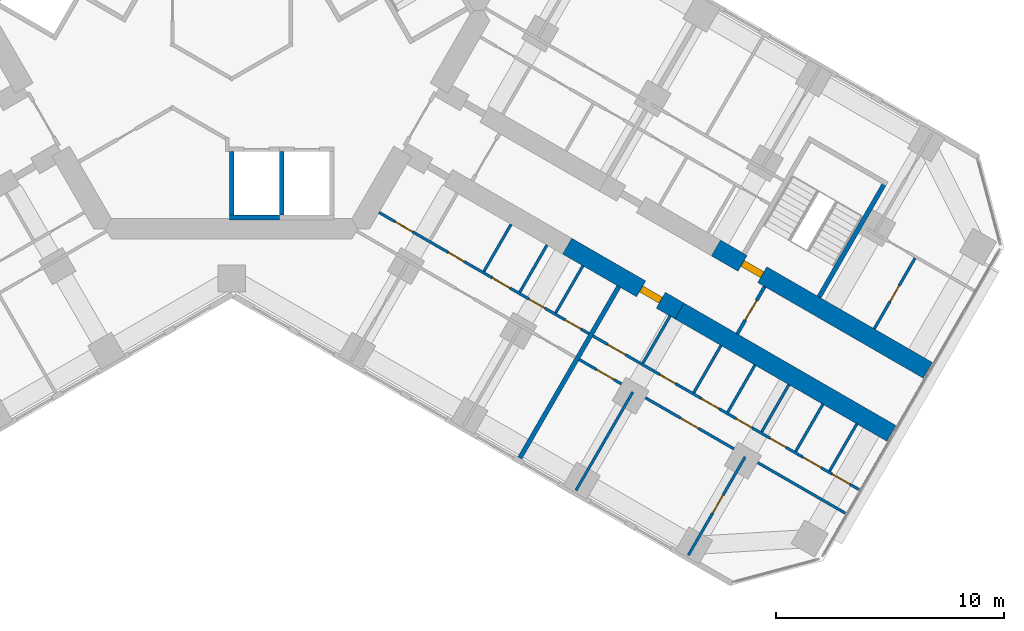
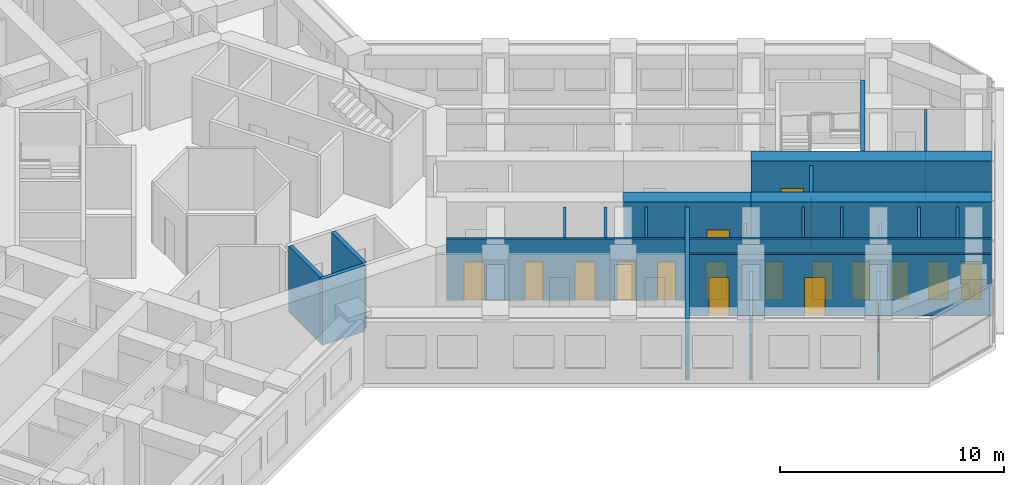
# One storey, part 14 of 20: 24 walls, 19 doors, 19 openings.
"""IFC4 building model written with IfcOpenShell, lengths in metres."""

from ifc_helpers import new_model, si_unit, direction, frame, frame_2d, origin, place, context, subcontext, project, spatial, rectangle, extrude, material, layer, layer_set, type_object, element, fill, save


model = new_model("IFC4")

# Units and contexts
model_context = context("Model", 3, precision=1e-05, world=origin(), true_north=direction((0.0, 1.0)))
body_context = subcontext(model_context, "Body", "Model", "MODEL_VIEW")
ifc_project = project(units=[si_unit("LENGTHUNIT", "METRE"), si_unit("AREAUNIT", "SQUARE_METRE"), si_unit("VOLUMEUNIT", "CUBIC_METRE"), si_unit("PLANEANGLEUNIT", "RADIAN"), si_unit("MASSUNIT", "GRAM", prefix="KILO")], contexts=[model_context])

# Site, building, storey
site_placement = place(None, origin())
site = spatial("IfcSite", under=ifc_project, at=site_placement, CompositionType="ELEMENT")
building_placement = place(site_placement, origin())
building = spatial("IfcBuilding", under=site, at=building_placement, Name="Kosmar Iwan School Tower", CompositionType="ELEMENT")
storey_placement = place(building_placement, frame((0.0, 0.0, 123.800048828125)))
storey = spatial("IfcBuildingStorey", under=building, at=storey_placement, Name="L30", CompositionType="ELEMENT", Elevation=123.800048828125)

# Wall, opening, door
ifc_material_1 = material(Name="Concrete C50/60", Category="concrete")
ifc_layer_1 = layer(ifc_material_1, 0.800048828125)
ifc_layer_set_1 = layer_set([ifc_layer_1], Name="Corridor buttress wall 800")
wall_type_1 = type_object("IfcWallType", Name="Corridor buttress wall 800", PredefinedType="SHEAR", material=ifc_layer_set_1)
wall_1_placement = place(storey_placement, frame((21.281494140625, -10.439453125, 0.0), z_axis=(0.0, 0.0, 1.0), x_axis=(0.866032345022, -0.499987977232, 0.0)))
wall_1 = element("IfcWall", 1, at=wall_1_placement, inside=storey, type_object=wall_type_1, Name="Corridor wall CL bay 3", PredefinedType="SHEAR", context=body_context, shape_type="SweptSolid", body=[
    extrude(rectangle(XDim=10.744873046875, YDim=0.800048828125, at=frame_2d((5.37255859375, 0.0))), origin(), (0.0, 0.0, 1.0), 3.599853515625),
])
opening_1_placement = place(wall_1_placement, frame((1.35009765625, 0.0, 0.0)))
opening_1 = element("IfcOpeningElement", 2, at=opening_1_placement, cuts=wall_1, Name="Opening D6", PredefinedType="OPENING", context=body_context, shape_type="SweptSolid", body=[
    extrude(rectangle(XDim=1.0, YDim=2.10009765625, at=frame_2d((0.5, 1.050048828125))), frame((0.0, 0.412109375, 0.0), z_axis=(0.0, -1.0, 0.0), x_axis=(1.0, 0.0, 0.0)), (0.0, 0.0, 1.0), 0.823974609375),
])
ifc_material_2 = material(Name="Steel fire door", Category="steel")
door_type_1 = type_object("IfcDoorType", Name="Stair door 1000x2100", OperationType="SINGLE_SWING_LEFT", PredefinedType="DOOR", material=ifc_material_2)
door_1_placement = place(opening_1_placement, origin())
door_1 = element("IfcDoor", 3, at=door_1_placement, inside=storey, type_object=door_type_1, Name="Stair WS3 door L30", OperationType="SINGLE_SWING_LEFT", OverallHeight=2.10009765625, OverallWidth=1.0, PredefinedType="DOOR", context=body_context, shape_type="SweptSolid", body=[
    extrude(rectangle(XDim=1.0, YDim=2.10009765625, at=frame_2d((0.5, 1.050048828125))), frame((0.0, 0.14990234375, 0.0), z_axis=(0.0, -1.0, 0.0), x_axis=(1.0, 0.0, 0.0)), (0.0, 0.0, 1.0), 0.300048828125),
])
fill(opening_1, door_1)

wall_2_placement = place(storey_placement, frame((14.7451171875, -10.360595703125, 0.0), z_axis=(0.0, 0.0, 1.0), x_axis=(0.866015111908, -0.50001782563, 0.0)))
wall_2 = element("IfcWall", 4, at=wall_2_placement, inside=storey, type_object=wall_type_1, Name="Corridor wall CR bay 2", PredefinedType="SHEAR", context=body_context, shape_type="SweptSolid", body=[
    extrude(rectangle(XDim=5.699951171875, YDim=0.800048828125, at=frame_2d((2.85009765625, 0.0))), origin(), (0.0, 0.0, 1.0), 3.599853515625),
])
opening_2_placement = place(wall_2_placement, frame((3.75, 0.0, 0.0)))
opening_2 = element("IfcOpeningElement", 5, at=opening_2_placement, cuts=wall_2, Name="Opening D1", PredefinedType="OPENING", context=body_context, shape_type="SweptSolid", body=[
    extrude(rectangle(XDim=1.0, YDim=2.10009765625, at=frame_2d((0.5, 1.050048828125))), frame((0.0, 0.412109375, 0.0), z_axis=(0.0, -1.0, 0.0), x_axis=(1.0, 0.0, 0.0)), (0.0, 0.0, 1.0), 0.823974609375),
])
ifc_material_3 = material(Name="Timber fire door in steel frame", Category="steel")
door_type_2 = type_object("IfcDoorType", Name="Flat entrance door 1000x2100", OperationType="SINGLE_SWING_LEFT", PredefinedType="DOOR", material=ifc_material_3)
door_2_placement = place(opening_2_placement, origin())
door_2 = element("IfcDoor", 6, at=door_2_placement, inside=storey, type_object=door_type_2, Name="Flat L30-CR2 entrance door", OperationType="SINGLE_SWING_RIGHT", OverallHeight=2.10009765625, OverallWidth=1.0, PredefinedType="DOOR", context=body_context, shape_type="SweptSolid", body=[
    extrude(rectangle(XDim=1.0, YDim=2.10009765625, at=frame_2d((0.5, 1.050048828125))), frame((0.0, 0.14990234375, 0.0), z_axis=(0.0, -1.0, 0.0), x_axis=(1.0, 0.0, 0.0)), (0.0, 0.0, 1.0), 0.300048828125),
])
fill(opening_2, door_2)

# Wall
wall_3_placement = place(storey_placement, frame((19.681396484375, -13.210693359375, 0.0), z_axis=(0.0, 0.0, 1.0), x_axis=(0.866028186671, -0.499995179869, 0.0)))
element("IfcWall", 7, at=wall_3_placement, inside=storey, type_object=wall_type_1, Name="Corridor wall CR bay 3", PredefinedType="SHEAR", context=body_context, shape_type="SweptSolid", body=[
    extrude(rectangle(XDim=10.7451171875, YDim=0.800048828125, at=frame_2d((5.37255859375, 0.0))), origin(), (0.0, 0.0, 1.0), 3.599853515625),
])

# Wall, opening, door
ifc_material_4 = material(Name="Gypsum board on steel studs, fire-rated", Category="steel")
ifc_layer_2 = layer(ifc_material_4, 0.14990234375)
ifc_layer_set_2 = layer_set([ifc_layer_2], Name="Corridor end wall 150")
wall_type_2 = type_object("IfcWallType", Name="Corridor end wall 150", PredefinedType="PARTITIONING", material=ifc_layer_set_2)
wall_4_placement = place(storey_placement, frame((22.2197265625, -14.21435546875, 0.0), z_axis=(0.0, 0.0, 1.0), x_axis=(0.499957262057, 0.866050077142, 0.0)))
wall_4 = element("IfcWall", 8, at=wall_4_placement, inside=storey, type_object=wall_type_2, Name="Partition L30-C-CE", PredefinedType="PARTITIONING", context=body_context, shape_type="SweptSolid", body=[
    extrude(rectangle(XDim=2.400146484375, YDim=0.14990234375, at=frame_2d((1.2001953125, 0.0))), origin(), (0.0, 0.0, 1.0), 3.349853515625),
])
opening_3_placement = place(wall_4_placement, frame((0.699951171875, 0.0, 0.0)))
opening_3 = element("IfcOpeningElement", 9, at=opening_3_placement, cuts=wall_4, Name="Opening D13", PredefinedType="OPENING", context=body_context, shape_type="SweptSolid", body=[
    extrude(rectangle(XDim=1.0, YDim=2.10009765625, at=frame_2d((0.5, 1.050048828125))), frame((0.0, 0.0869140625, 0.0), z_axis=(0.0, -1.0, 0.0), x_axis=(1.0, 0.0, 0.0)), (0.0, 0.0, 1.0), 0.173828125),
])
ifc_material_5 = material(Name="Timber fire door with vision panel", Category="wood")
door_type_3 = type_object("IfcDoorType", Name="Corridor end door 1000x2100", OperationType="SINGLE_SWING_LEFT", PredefinedType="DOOR", material=ifc_material_5)
door_3_placement = place(opening_3_placement, origin())
door_3 = element("IfcDoor", 10, at=door_3_placement, inside=storey, type_object=door_type_3, Name="Family study room door L30-C", OperationType="SINGLE_SWING_RIGHT", OverallHeight=2.10009765625, OverallWidth=1.0, PredefinedType="DOOR", context=body_context, shape_type="SweptSolid", body=[
    extrude(rectangle(XDim=1.0, YDim=2.10009765625, at=frame_2d((0.5, 1.050048828125))), frame((0.0, 0.02490234375, 0.0), z_axis=(0.0, -1.0, 0.0), x_axis=(1.0, 0.0, 0.0)), (0.0, 0.0, 1.0), 0.050048828125),
])
fill(opening_3, door_3)

ifc_material_6 = material(Name="Gypsum board on steel studs", Category="steel")
ifc_layer_3 = layer(ifc_material_6, 0.1201171875)
ifc_layer_set_3 = layer_set([ifc_layer_3], Name="Dwelling partition 120")
wall_type_3 = type_object("IfcWallType", Name="Dwelling partition 120", PredefinedType="PARTITIONING", material=ifc_layer_set_3)
wall_5_placement = place(storey_placement, frame((28.236572265625, -13.992919921875, 0.0), z_axis=(0.0, 0.0, 1.0), x_axis=(0.499971658126, 0.866041766355, 0.0)))
wall_5 = element("IfcWall", 11, at=wall_5_placement, inside=storey, type_object=wall_type_3, Name="Partition L30-CL2-TY", PredefinedType="PARTITIONING", context=body_context, shape_type="SweptSolid", body=[
    extrude(rectangle(XDim=3.590087890625, YDim=0.1201171875, at=frame_2d((1.794921875, 0.0))), origin(), (0.0, 0.0, 1.0), 3.349853515625),
])
opening_4_placement = place(wall_5_placement, frame((1.39501953125, 0.0, 0.0)))
opening_4 = element("IfcOpeningElement", 12, at=opening_4_placement, cuts=wall_5, Name="Opening D3", PredefinedType="OPENING", context=body_context, shape_type="SweptSolid", body=[
    extrude(rectangle(XDim=0.800048828125, YDim=2.10009765625, at=frame_2d((0.39990234375, 1.050048828125))), frame((0.0, 0.072021484375, 0.0), z_axis=(0.0, -1.0, 0.0), x_axis=(1.0, 0.0, 0.0)), (0.0, 0.0, 1.0), 0.14404296875),
])
ifc_material_7 = material(Name="Timber door in timber frame", Category="wood")
door_type_4 = type_object("IfcDoorType", Name="Sanitary room door 800x2100", OperationType="SINGLE_SWING_LEFT", PredefinedType="DOOR", material=ifc_material_7)
door_4_placement = place(opening_4_placement, origin())
door_4 = element("IfcDoor", 13, at=door_4_placement, inside=storey, type_object=door_type_4, Name="Shower room door L30-CL2-T4", OperationType="SINGLE_SWING_RIGHT", OverallHeight=2.10009765625, OverallWidth=0.800048828125, PredefinedType="DOOR", context=body_context, shape_type="SweptSolid", body=[
    extrude(rectangle(XDim=0.800048828125, YDim=2.10009765625, at=frame_2d((0.39990234375, 1.050048828125))), frame((0.0, 0.02490234375, 0.0), z_axis=(0.0, -1.0, 0.0), x_axis=(1.0, 0.0, 0.0)), (0.0, 0.0, 1.0), 0.050048828125),
])
fill(opening_4, door_4)

# Wall, openings, doors
wall_6_placement = place(storey_placement, frame((6.478515625, -8.87890625, 0.0), z_axis=(0.0, 0.0, 1.0), x_axis=(0.866026778288, -0.499997619282, 0.0)))
wall_6 = element("IfcWall", 14, at=wall_6_placement, inside=storey, type_object=wall_type_3, Name="Partition L30-CR1-W1", PredefinedType="PARTITIONING", context=body_context, shape_type="SweptSolid", body=[
    extrude(rectangle(XDim=10.64990234375, YDim=0.1201171875, at=frame_2d((5.324951171875, 0.0))), origin(), (0.0, 0.0, 1.0), 3.349853515625),
])
opening_5_placement = place(wall_6_placement, frame((0.800048828125, 0.0, 0.0)))
opening_5 = element("IfcOpeningElement", 15, at=opening_5_placement, cuts=wall_6, Name="Opening D2", PredefinedType="OPENING", context=body_context, shape_type="SweptSolid", body=[
    extrude(rectangle(XDim=0.89990234375, YDim=2.10009765625, at=frame_2d((0.449951171875, 1.050048828125))), frame((0.0, 0.072021484375, 0.0), z_axis=(0.0, -1.0, 0.0), x_axis=(1.0, 0.0, 0.0)), (0.0, 0.0, 1.0), 0.14404296875),
])
opening_6_placement = place(wall_6_placement, frame((3.5166015625, 0.0, 0.0)))
opening_6 = element("IfcOpeningElement", 16, at=opening_6_placement, cuts=wall_6, Name="Opening D3", PredefinedType="OPENING", context=body_context, shape_type="SweptSolid", body=[
    extrude(rectangle(XDim=0.800048828125, YDim=2.10009765625, at=frame_2d((0.39990234375, 1.050048828125))), frame((0.0, 0.072021484375, 0.0), z_axis=(0.0, -1.0, 0.0), x_axis=(1.0, 0.0, 0.0)), (0.0, 0.0, 1.0), 0.14404296875),
])
opening_7_placement = place(wall_6_placement, frame((5.744384765625, 0.0, 0.0)))
opening_7 = element("IfcOpeningElement", 17, at=opening_7_placement, cuts=wall_6, Name="Opening D2", PredefinedType="OPENING", context=body_context, shape_type="SweptSolid", body=[
    extrude(rectangle(XDim=0.89990234375, YDim=2.10009765625, at=frame_2d((0.449951171875, 1.050048828125))), frame((0.0, 0.072021484375, 0.0), z_axis=(0.0, -1.0, 0.0), x_axis=(1.0, 0.0, 0.0)), (0.0, 0.0, 1.0), 0.14404296875),
])
opening_8_placement = place(wall_6_placement, frame((7.61669921875, 0.0, 0.0)))
opening_8 = element("IfcOpeningElement", 18, at=opening_8_placement, cuts=wall_6, Name="Opening D3", PredefinedType="OPENING", context=body_context, shape_type="SweptSolid", body=[
    extrude(rectangle(XDim=0.800048828125, YDim=2.10009765625, at=frame_2d((0.39990234375, 1.050048828125))), frame((0.0, 0.072021484375, 0.0), z_axis=(0.0, -1.0, 0.0), x_axis=(1.0, 0.0, 0.0)), (0.0, 0.0, 1.0), 0.14404296875),
])
opening_9_placement = place(wall_6_placement, frame((9.43896484375, 0.0, 0.0)))
opening_9 = element("IfcOpeningElement", 19, at=opening_9_placement, cuts=wall_6, Name="Opening D3", PredefinedType="OPENING", context=body_context, shape_type="SweptSolid", body=[
    extrude(rectangle(XDim=0.800048828125, YDim=2.10009765625, at=frame_2d((0.39990234375, 1.050048828125))), frame((0.0, 0.072021484375, 0.0), z_axis=(0.0, -1.0, 0.0), x_axis=(1.0, 0.0, 0.0)), (0.0, 0.0, 1.0), 0.14404296875),
])
ifc_material_8 = material(Name="Timber door in timber frame", Category="wood")
door_type_5 = type_object("IfcDoorType", Name="Internal door 900x2100", OperationType="SINGLE_SWING_LEFT", PredefinedType="DOOR", material=ifc_material_8)
door_5_placement = place(opening_5_placement, origin())
door_5 = element("IfcDoor", 20, at=door_5_placement, inside=storey, type_object=door_type_5, Name="Entrance hall door L30-CR1-S1", OperationType="SINGLE_SWING_LEFT", OverallHeight=2.10009765625, OverallWidth=0.89990234375, PredefinedType="DOOR", context=body_context, shape_type="SweptSolid", body=[
    extrude(rectangle(XDim=0.89990234375, YDim=2.10009765625, at=frame_2d((0.449951171875, 1.050048828125))), frame((0.0, 0.02490234375, 0.0), z_axis=(0.0, -1.0, 0.0), x_axis=(1.0, 0.0, 0.0)), (0.0, 0.0, 1.0), 0.050048828125),
])
fill(opening_5, door_5)
door_6_placement = place(opening_7_placement, origin())
door_6 = element("IfcDoor", 21, at=door_6_placement, inside=storey, type_object=door_type_5, Name="Pantry door L30-CR1-S3", OperationType="SINGLE_SWING_LEFT", OverallHeight=2.10009765625, OverallWidth=0.89990234375, PredefinedType="DOOR", context=body_context, shape_type="SweptSolid", body=[
    extrude(rectangle(XDim=0.89990234375, YDim=2.10009765625, at=frame_2d((0.449951171875, 1.050048828125))), frame((0.0, 0.02490234375, 0.0), z_axis=(0.0, -1.0, 0.0), x_axis=(1.0, 0.0, 0.0)), (0.0, 0.0, 1.0), 0.050048828125),
])
fill(opening_7, door_6)
door_7_placement = place(opening_6_placement, origin())
door_7 = element("IfcDoor", 22, at=door_7_placement, inside=storey, type_object=door_type_4, Name="Bathroom door L30-CR1-S2", OperationType="SINGLE_SWING_RIGHT", OverallHeight=2.10009765625, OverallWidth=0.800048828125, PredefinedType="DOOR", context=body_context, shape_type="SweptSolid", body=[
    extrude(rectangle(XDim=0.800048828125, YDim=2.10009765625, at=frame_2d((0.39990234375, 1.050048828125))), frame((0.0, 0.02490234375, 0.0), z_axis=(0.0, -1.0, 0.0), x_axis=(1.0, 0.0, 0.0)), (0.0, 0.0, 1.0), 0.050048828125),
])
fill(opening_6, door_7)
door_8_placement = place(opening_8_placement, origin())
door_8 = element("IfcDoor", 23, at=door_8_placement, inside=storey, type_object=door_type_4, Name="WC door L30-CR1-S4", OperationType="SINGLE_SWING_RIGHT", OverallHeight=2.10009765625, OverallWidth=0.800048828125, PredefinedType="DOOR", context=body_context, shape_type="SweptSolid", body=[
    extrude(rectangle(XDim=0.800048828125, YDim=2.10009765625, at=frame_2d((0.39990234375, 1.050048828125))), frame((0.0, 0.02490234375, 0.0), z_axis=(0.0, -1.0, 0.0), x_axis=(1.0, 0.0, 0.0)), (0.0, 0.0, 1.0), 0.050048828125),
])
fill(opening_8, door_8)
door_9_placement = place(opening_9_placement, origin())
door_9 = element("IfcDoor", 24, at=door_9_placement, inside=storey, type_object=door_type_4, Name="Store door L30-CR1-S5", OperationType="SINGLE_SWING_RIGHT", OverallHeight=2.10009765625, OverallWidth=0.800048828125, PredefinedType="DOOR", context=body_context, shape_type="SweptSolid", body=[
    extrude(rectangle(XDim=0.800048828125, YDim=2.10009765625, at=frame_2d((0.39990234375, 1.050048828125))), frame((0.0, 0.02490234375, 0.0), z_axis=(0.0, -1.0, 0.0), x_axis=(1.0, 0.0, 0.0)), (0.0, 0.0, 1.0), 0.050048828125),
])
fill(opening_9, door_9)

# Walls
for number, where, z_axis, x_axis, name in (
    (25, (12.279052734375, -9.398681640625, 0.0), (0.0, 0.0, 1.0), (-0.500017192868, -0.86601547725, 0.0), "Partition L30-CR1-Y2"),
    (26, (13.857177734375, -10.309814453125, 0.0), (0.0, 0.0, 1.0), (-0.500017192868, -0.86601547725, 0.0), "Partition L30-CR1-Y3"),
    (27, (15.435302734375, -11.220947265625, 0.0), (0.0, 0.0, 1.0), (-0.500017192868, -0.86601547725, 0.0), "Partition L30-CR1-Y4"),
):
    element("IfcWall", number, at=place(storey_placement, frame(where, z_axis=z_axis, x_axis=x_axis)), inside=storey, type_object=wall_type_3, Name=name, PredefinedType="PARTITIONING", context=body_context, shape_type="SweptSolid", body=[
        extrude(rectangle(XDim=2.39013671875, YDim=0.1201171875, at=frame_2d((1.195068359375, 0.0))), origin(), (0.0, 0.0, 1.0), 3.349853515625),
    ])

# Wall, openings, doors
wall_7_placement = place(storey_placement, frame((15.875, -14.3037109375, 0.0), z_axis=(0.0, 0.0, 1.0), x_axis=(0.866023503214, -0.50000329187, 0.0)))
wall_7 = element("IfcWall", 28, at=wall_7_placement, inside=storey, type_object=wall_type_3, Name="Partition L30-CR2-W1", PredefinedType="PARTITIONING", context=body_context, shape_type="SweptSolid", body=[
    extrude(rectangle(XDim=13.4951171875, YDim=0.1201171875, at=frame_2d((6.74755859375, 0.0))), origin(), (0.0, 0.0, 1.0), 3.349853515625),
])
opening_10_placement = place(wall_7_placement, frame((0.75, 0.0, 0.0)))
opening_10 = element("IfcOpeningElement", 29, at=opening_10_placement, cuts=wall_7, Name="Opening D2", PredefinedType="OPENING", context=body_context, shape_type="SweptSolid", body=[
    extrude(rectangle(XDim=0.89990234375, YDim=2.10009765625, at=frame_2d((0.449951171875, 1.050048828125))), frame((0.0, 0.072021484375, 0.0), z_axis=(0.0, -1.0, 0.0), x_axis=(1.0, 0.0, 0.0)), (0.0, 0.0, 1.0), 0.14404296875),
])
opening_11_placement = place(wall_7_placement, frame((3.392333984375, 0.0, 0.0)))
opening_11 = element("IfcOpeningElement", 30, at=opening_11_placement, cuts=wall_7, Name="Opening D3", PredefinedType="OPENING", context=body_context, shape_type="SweptSolid", body=[
    extrude(rectangle(XDim=0.800048828125, YDim=2.10009765625, at=frame_2d((0.39990234375, 1.050048828125))), frame((0.0, 0.072021484375, 0.0), z_axis=(0.0, -1.0, 0.0), x_axis=(1.0, 0.0, 0.0)), (0.0, 0.0, 1.0), 0.14404296875),
])
opening_12_placement = place(wall_7_placement, frame((5.49609375, 0.0, 0.0)))
opening_12 = element("IfcOpeningElement", 31, at=opening_12_placement, cuts=wall_7, Name="Opening D2", PredefinedType="OPENING", context=body_context, shape_type="SweptSolid", body=[
    extrude(rectangle(XDim=0.89990234375, YDim=2.10009765625, at=frame_2d((0.449951171875, 1.050048828125))), frame((0.0, 0.072021484375, 0.0), z_axis=(0.0, -1.0, 0.0), x_axis=(1.0, 0.0, 0.0)), (0.0, 0.0, 1.0), 0.14404296875),
])
opening_13_placement = place(wall_7_placement, frame((7.269287109375, 0.0, 0.0)))
opening_13 = element("IfcOpeningElement", 32, at=opening_13_placement, cuts=wall_7, Name="Opening D3", PredefinedType="OPENING", context=body_context, shape_type="SweptSolid", body=[
    extrude(rectangle(XDim=0.800048828125, YDim=2.10009765625, at=frame_2d((0.39990234375, 1.050048828125))), frame((0.0, 0.072021484375, 0.0), z_axis=(0.0, -1.0, 0.0), x_axis=(1.0, 0.0, 0.0)), (0.0, 0.0, 1.0), 0.14404296875),
])
opening_14_placement = place(wall_7_placement, frame((8.992431640625, 0.0, 0.0)))
opening_14 = element("IfcOpeningElement", 33, at=opening_14_placement, cuts=wall_7, Name="Opening D3", PredefinedType="OPENING", context=body_context, shape_type="SweptSolid", body=[
    extrude(rectangle(XDim=0.800048828125, YDim=2.10009765625, at=frame_2d((0.39990234375, 1.050048828125))), frame((0.0, 0.072021484375, 0.0), z_axis=(0.0, -1.0, 0.0), x_axis=(1.0, 0.0, 0.0)), (0.0, 0.0, 1.0), 0.14404296875),
])
opening_15_placement = place(wall_7_placement, frame((10.665283203125, 0.0, 0.0)))
opening_15 = element("IfcOpeningElement", 34, at=opening_15_placement, cuts=wall_7, Name="Opening D2", PredefinedType="OPENING", context=body_context, shape_type="SweptSolid", body=[
    extrude(rectangle(XDim=0.89990234375, YDim=2.10009765625, at=frame_2d((0.449951171875, 1.050048828125))), frame((0.0, 0.072021484375, 0.0), z_axis=(0.0, -1.0, 0.0), x_axis=(1.0, 0.0, 0.0)), (0.0, 0.0, 1.0), 0.14404296875),
])
opening_16_placement = place(wall_7_placement, frame((12.136962890625, 0.0, 0.0)))
opening_16 = element("IfcOpeningElement", 35, at=opening_16_placement, cuts=wall_7, Name="Opening D2", PredefinedType="OPENING", context=body_context, shape_type="SweptSolid", body=[
    extrude(rectangle(XDim=0.89990234375, YDim=2.10009765625, at=frame_2d((0.449951171875, 1.050048828125))), frame((0.0, 0.072021484375, 0.0), z_axis=(0.0, -1.0, 0.0), x_axis=(1.0, 0.0, 0.0)), (0.0, 0.0, 1.0), 0.14404296875),
])
door_10_placement = place(opening_10_placement, origin())
door_10 = element("IfcDoor", 36, at=door_10_placement, inside=storey, type_object=door_type_5, Name="Entrance hall door L30-CR2-S1", OperationType="SINGLE_SWING_LEFT", OverallHeight=2.10009765625, OverallWidth=0.89990234375, PredefinedType="DOOR", context=body_context, shape_type="SweptSolid", body=[
    extrude(rectangle(XDim=0.89990234375, YDim=2.10009765625, at=frame_2d((0.449951171875, 1.050048828125))), frame((0.0, 0.02490234375, 0.0), z_axis=(0.0, -1.0, 0.0), x_axis=(1.0, 0.0, 0.0)), (0.0, 0.0, 1.0), 0.050048828125),
])
fill(opening_10, door_10)
door_11_placement = place(opening_12_placement, origin())
door_11 = element("IfcDoor", 37, at=door_11_placement, inside=storey, type_object=door_type_5, Name="Pantry door L30-CR2-S3", OperationType="SINGLE_SWING_LEFT", OverallHeight=2.10009765625, OverallWidth=0.89990234375, PredefinedType="DOOR", context=body_context, shape_type="SweptSolid", body=[
    extrude(rectangle(XDim=0.89990234375, YDim=2.10009765625, at=frame_2d((0.449951171875, 1.050048828125))), frame((0.0, 0.02490234375, 0.0), z_axis=(0.0, -1.0, 0.0), x_axis=(1.0, 0.0, 0.0)), (0.0, 0.0, 1.0), 0.050048828125),
])
fill(opening_12, door_11)
door_12_placement = place(opening_15_placement, origin())
door_12 = element("IfcDoor", 38, at=door_12_placement, inside=storey, type_object=door_type_5, Name="Utility room door L30-CR2-S6", OperationType="SINGLE_SWING_RIGHT", OverallHeight=2.10009765625, OverallWidth=0.89990234375, PredefinedType="DOOR", context=body_context, shape_type="SweptSolid", body=[
    extrude(rectangle(XDim=0.89990234375, YDim=2.10009765625, at=frame_2d((0.449951171875, 1.050048828125))), frame((0.0, 0.02490234375, 0.0), z_axis=(0.0, -1.0, 0.0), x_axis=(1.0, 0.0, 0.0)), (0.0, 0.0, 1.0), 0.050048828125),
])
fill(opening_15, door_12)
door_13_placement = place(opening_16_placement, origin())
door_13 = element("IfcDoor", 39, at=door_13_placement, inside=storey, type_object=door_type_5, Name="Dressing room door L30-CR2-S7", OperationType="SINGLE_SWING_LEFT", OverallHeight=2.10009765625, OverallWidth=0.89990234375, PredefinedType="DOOR", context=body_context, shape_type="SweptSolid", body=[
    extrude(rectangle(XDim=0.89990234375, YDim=2.10009765625, at=frame_2d((0.449951171875, 1.050048828125))), frame((0.0, 0.02490234375, 0.0), z_axis=(0.0, -1.0, 0.0), x_axis=(1.0, 0.0, 0.0)), (0.0, 0.0, 1.0), 0.050048828125),
])
fill(opening_16, door_13)
door_14_placement = place(opening_11_placement, origin())
door_14 = element("IfcDoor", 40, at=door_14_placement, inside=storey, type_object=door_type_4, Name="Bathroom door L30-CR2-S2", OperationType="SINGLE_SWING_RIGHT", OverallHeight=2.10009765625, OverallWidth=0.800048828125, PredefinedType="DOOR", context=body_context, shape_type="SweptSolid", body=[
    extrude(rectangle(XDim=0.800048828125, YDim=2.10009765625, at=frame_2d((0.39990234375, 1.050048828125))), frame((0.0, 0.02490234375, 0.0), z_axis=(0.0, -1.0, 0.0), x_axis=(1.0, 0.0, 0.0)), (0.0, 0.0, 1.0), 0.050048828125),
])
fill(opening_11, door_14)
door_15_placement = place(opening_13_placement, origin())
door_15 = element("IfcDoor", 41, at=door_15_placement, inside=storey, type_object=door_type_4, Name="WC door L30-CR2-S4", OperationType="SINGLE_SWING_RIGHT", OverallHeight=2.10009765625, OverallWidth=0.800048828125, PredefinedType="DOOR", context=body_context, shape_type="SweptSolid", body=[
    extrude(rectangle(XDim=0.800048828125, YDim=2.10009765625, at=frame_2d((0.39990234375, 1.050048828125))), frame((0.0, 0.02490234375, 0.0), z_axis=(0.0, -1.0, 0.0), x_axis=(1.0, 0.0, 0.0)), (0.0, 0.0, 1.0), 0.050048828125),
])
fill(opening_13, door_15)
door_16_placement = place(opening_14_placement, origin())
door_16 = element("IfcDoor", 42, at=door_16_placement, inside=storey, type_object=door_type_4, Name="Store door L30-CR2-S5", OperationType="SINGLE_SWING_LEFT", OverallHeight=2.10009765625, OverallWidth=0.800048828125, PredefinedType="DOOR", context=body_context, shape_type="SweptSolid", body=[
    extrude(rectangle(XDim=0.800048828125, YDim=2.10009765625, at=frame_2d((0.39990234375, 1.050048828125))), frame((0.0, 0.02490234375, 0.0), z_axis=(0.0, -1.0, 0.0), x_axis=(1.0, 0.0, 0.0)), (0.0, 0.0, 1.0), 0.050048828125),
])
fill(opening_14, door_16)

wall_8_placement = place(storey_placement, frame((15.27490234375, -15.343017578125, 0.0), z_axis=(0.0, 0.0, 1.0), x_axis=(0.866023503214, -0.50000329187, 0.0)))
wall_8 = element("IfcWall", 43, at=wall_8_placement, inside=storey, type_object=wall_type_3, Name="Partition L30-CR2-W2", PredefinedType="PARTITIONING", context=body_context, shape_type="SweptSolid", body=[
    extrude(rectangle(XDim=13.4951171875, YDim=0.1201171875, at=frame_2d((6.74755859375, 0.0))), origin(), (0.0, 0.0, 1.0), 3.349853515625),
])
opening_17_placement = place(wall_8_placement, frame((0.875, 0.0, 0.0)))
opening_17 = element("IfcOpeningElement", 44, at=opening_17_placement, cuts=wall_8, Name="Opening D2", PredefinedType="OPENING", context=body_context, shape_type="SweptSolid", body=[
    extrude(rectangle(XDim=0.89990234375, YDim=2.10009765625, at=frame_2d((0.449951171875, 1.050048828125))), frame((0.0, 0.072021484375, 0.0), z_axis=(0.0, -1.0, 0.0), x_axis=(1.0, 0.0, 0.0)), (0.0, 0.0, 1.0), 0.14404296875),
])
opening_18_placement = place(wall_8_placement, frame((5.14990234375, 0.0, 0.0)))
opening_18 = element("IfcOpeningElement", 45, at=opening_18_placement, cuts=wall_8, Name="Opening D2", PredefinedType="OPENING", context=body_context, shape_type="SweptSolid", body=[
    extrude(rectangle(XDim=0.89990234375, YDim=2.10009765625, at=frame_2d((0.449951171875, 1.050048828125))), frame((0.0, 0.072021484375, 0.0), z_axis=(0.0, -1.0, 0.0), x_axis=(1.0, 0.0, 0.0)), (0.0, 0.0, 1.0), 0.14404296875),
])
door_17_placement = place(opening_17_placement, origin())
door_17 = element("IfcDoor", 46, at=door_17_placement, inside=storey, type_object=door_type_5, Name="Bedroom 1 door L30-CR2-F1", OperationType="SINGLE_SWING_LEFT", OverallHeight=2.10009765625, OverallWidth=0.89990234375, PredefinedType="DOOR", context=body_context, shape_type="SweptSolid", body=[
    extrude(rectangle(XDim=0.89990234375, YDim=2.10009765625, at=frame_2d((0.449951171875, 1.050048828125))), frame((0.0, 0.02490234375, 0.0), z_axis=(0.0, -1.0, 0.0), x_axis=(1.0, 0.0, 0.0)), (0.0, 0.0, 1.0), 0.050048828125),
])
fill(opening_17, door_17)
door_18_placement = place(opening_18_placement, origin())
door_18 = element("IfcDoor", 47, at=door_18_placement, inside=storey, type_object=door_type_5, Name="Family room door L30-CR2-F2", OperationType="SINGLE_SWING_LEFT", OverallHeight=2.10009765625, OverallWidth=0.89990234375, PredefinedType="DOOR", context=body_context, shape_type="SweptSolid", body=[
    extrude(rectangle(XDim=0.89990234375, YDim=2.10009765625, at=frame_2d((0.449951171875, 1.050048828125))), frame((0.0, 0.02490234375, 0.0), z_axis=(0.0, -1.0, 0.0), x_axis=(1.0, 0.0, 0.0)), (0.0, 0.0, 1.0), 0.050048828125),
])
fill(opening_18, door_18)

# Wall
wall_9_placement = place(storey_placement, frame((17.62646484375, -16.77001953125, 0.0), z_axis=(0.0, 0.0, 1.0), x_axis=(-0.499975153383, -0.86603974851, 0.0)))
element("IfcWall", 48, at=wall_9_placement, inside=storey, type_object=wall_type_3, Name="Partition L30-CR2-X1", PredefinedType="PARTITIONING", context=body_context, shape_type="SweptSolid", body=[
    extrude(rectangle(XDim=4.989990234375, YDim=0.1201171875, at=frame_2d((2.4951171875, 0.0))), origin(), (0.0, 0.0, 1.0), 2.449951171875),
])

# Wall, opening, door
wall_10_placement = place(storey_placement, frame((22.562744140625, -19.6201171875, 0.0), z_axis=(0.0, 0.0, 1.0), x_axis=(-0.499996339024, -0.86602751744, 0.0)))
wall_10 = element("IfcWall", 49, at=wall_10_placement, inside=storey, type_object=wall_type_3, Name="Partition L30-CR2-X2", PredefinedType="PARTITIONING", context=body_context, shape_type="SweptSolid", body=[
    extrude(rectangle(XDim=4.98974609375, YDim=0.1201171875, at=frame_2d((2.494873046875, 0.0))), origin(), (0.0, 0.0, 1.0), 2.449951171875),
])
opening_19_placement = place(wall_10_placement, frame((1.93994140625, 0.0, 0.0)))
opening_19 = element("IfcOpeningElement", 50, at=opening_19_placement, cuts=wall_10, Name="Opening D2", PredefinedType="OPENING", context=body_context, shape_type="SweptSolid", body=[
    extrude(rectangle(XDim=0.89990234375, YDim=2.10009765625, at=frame_2d((0.449951171875, 1.050048828125))), frame((0.0, 0.072021484375, 0.0), z_axis=(0.0, -1.0, 0.0), x_axis=(1.0, 0.0, 0.0)), (0.0, 0.0, 1.0), 0.14404296875),
])
door_19_placement = place(opening_19_placement, origin())
door_19 = element("IfcDoor", 51, at=door_19_placement, inside=storey, type_object=door_type_5, Name="Kitchen and dining room door L30-CR2-F3", OperationType="SINGLE_SWING_LEFT", OverallHeight=2.10009765625, OverallWidth=0.89990234375, PredefinedType="DOOR", context=body_context, shape_type="SweptSolid", body=[
    extrude(rectangle(XDim=0.89990234375, YDim=2.10009765625, at=frame_2d((0.449951171875, 1.050048828125))), frame((0.0, 0.02490234375, 0.0), z_axis=(0.0, -1.0, 0.0), x_axis=(1.0, 0.0, 0.0)), (0.0, 0.0, 1.0), 0.050048828125),
])
fill(opening_19, door_19)

# Walls
wall_11_placement = place(storey_placement, frame((19.264892578125, -13.43212890625, 0.0), z_axis=(0.0, 0.0, 1.0), x_axis=(-0.499940577336, -0.866059708757, 0.0)))
element("IfcWall", 52, at=wall_11_placement, inside=storey, type_object=wall_type_3, Name="Partition L30-CR2-Y1", PredefinedType="PARTITIONING", context=body_context, shape_type="SweptSolid", body=[
    extrude(rectangle(XDim=2.389892578125, YDim=0.1201171875, at=frame_2d((1.19482421875, 0.0))), origin(), (0.0, 0.0, 1.0), 2.449951171875),
])
for number, where, z_axis, x_axis, name in (
    (53, (21.50341796875, -14.724365234375, 0.0), (0.0, 0.0, 1.0), (-0.500017192868, -0.86601547725, 0.0), "Partition L30-CR2-Y2"),
    (54, (22.99560546875, -15.5859375, 0.0), (0.0, 0.0, 1.0), (-0.500017192868, -0.86601547725, 0.0), "Partition L30-CR2-Y3"),
):
    element("IfcWall", number, at=place(storey_placement, frame(where, z_axis=z_axis, x_axis=x_axis)), inside=storey, type_object=wall_type_3, Name=name, PredefinedType="PARTITIONING", context=body_context, shape_type="SweptSolid", body=[
        extrude(rectangle(XDim=2.39013671875, YDim=0.1201171875, at=frame_2d((1.195068359375, 0.0))), origin(), (0.0, 0.0, 1.0), 3.349853515625),
    ])
wall_12_placement = place(storey_placement, frame((24.48779296875, -16.447509765625, 0.0), z_axis=(0.0, 0.0, 1.0), x_axis=(-0.500017192868, -0.86601547725, 0.0)))
element("IfcWall", 55, at=wall_12_placement, inside=storey, type_object=wall_type_3, Name="Partition L30-CR2-Y4", PredefinedType="PARTITIONING", context=body_context, shape_type="SweptSolid", body=[
    extrude(rectangle(XDim=2.39013671875, YDim=0.1201171875, at=frame_2d((1.195068359375, 0.0))), origin(), (0.0, 0.0, 1.0), 2.449951171875),
])
for number, where, z_axis, x_axis, name in (
    (56, (25.97998046875, -17.30908203125, 0.0), (0.0, 0.0, 1.0), (-0.500061428766, -0.865989934965, 0.0), "Partition L30-CR2-Y5"),
    (57, (27.47216796875, -18.17041015625, 0.0), (0.0, 0.0, 1.0), (-0.499940577336, -0.866059708757, 0.0), "Partition L30-CR2-Y6"),
):
    element("IfcWall", number, at=place(storey_placement, frame(where, z_axis=z_axis, x_axis=x_axis)), inside=storey, type_object=wall_type_3, Name=name, PredefinedType="PARTITIONING", context=body_context, shape_type="SweptSolid", body=[
        extrude(rectangle(XDim=2.389892578125, YDim=0.1201171875, at=frame_2d((1.19482421875, 0.0))), origin(), (0.0, 0.0, 1.0), 3.349853515625),
    ])
ifc_material_9 = material(Name="Concrete C35/45", Category="concrete")
ifc_layer_4 = layer(ifc_material_9, 0.199951171875)
ifc_layer_set_4 = layer_set([ifc_layer_4], Name="Escape stair wall 200")
wall_type_4 = type_object("IfcWallType", Name="Escape stair wall 200", PredefinedType="SHEAR", material=ifc_layer_set_4)
wall_13_placement = place(storey_placement, frame((25.8115234375, -12.593017578125, 0.0), z_axis=(0.0, 0.0, 1.0), x_axis=(0.500019744199, 0.866014004166, 0.0)))
element("IfcWall", 58, at=wall_13_placement, inside=storey, type_object=wall_type_4, Name="Stair WS3 wall", PredefinedType="SHEAR", context=body_context, shape_type="SweptSolid", body=[
    extrude(rectangle(XDim=5.900146484375, YDim=0.199951171875, at=frame_2d((2.9501953125, 0.0))), origin(), (0.0, 0.0, 1.0), 3.329833984375),
])
ifc_material_10 = material(Name="Concrete C50/60", Category="concrete")
ifc_layer_5 = layer(ifc_material_10, 0.199951171875)
ifc_layer_set_5 = layer_set([ifc_layer_5], Name="Lift shaft wall 200")
wall_type_5 = type_object("IfcWallType", Name="Lift shaft wall 200", PredefinedType="SHEAR", material=ifc_layer_set_5)
wall_14_placement = place(storey_placement, frame((-0.10009765625, -9.10009765625, 0.0), z_axis=(0.0, 0.0, 1.0), x_axis=(1.0, 0.0, 0.0)))
element("IfcWall", 59, at=wall_14_placement, inside=storey, type_object=wall_type_5, Name="Lift and stair back wall BC", PredefinedType="SHEAR", context=body_context, shape_type="SweptSolid", body=[
    extrude(rectangle(XDim=2.2001953125, YDim=0.199951171875, at=frame_2d((1.10009765625, 0.0))), origin(), (0.0, 0.0, 1.0), 3.599853515625),
])
for number, where, z_axis, x_axis, name in (
    (60, (0.0, -6.199951171875, 0.0), (0.0, 0.0, 1.0), (0.0, -1.0, 0.0), "Lift shaft wall BC 0"),
    (61, (2.199951171875, -6.199951171875, 0.0), (0.0, 0.0, 1.0), (0.0, -1.0, 0.0), "Lift shaft wall BC 1"),
):
    element("IfcWall", number, at=place(storey_placement, frame(where, z_axis=z_axis, x_axis=x_axis)), inside=storey, type_object=wall_type_5, Name=name, PredefinedType="SHEAR", context=body_context, shape_type="SweptSolid", body=[
        extrude(rectangle(XDim=2.800048828125, YDim=0.199951171875, at=frame_2d((1.39990234375, 0.0))), origin(), (0.0, 0.0, 1.0), 3.599853515625),
    ])
ifc_material_11 = material(Name="Concrete block masonry", Category="masonry")
ifc_layer_6 = layer(ifc_material_11, 0.199951171875)
ifc_layer_set_6 = layer_set([ifc_layer_6], Name="Party wall 200")
wall_type_6 = type_object("IfcWallType", Name="Party wall 200", PredefinedType="PARTITIONING", material=ifc_layer_set_6)
wall_15_placement = place(storey_placement, frame((17.013427734375, -12.132080078125, 0.0), z_axis=(0.0, 0.0, 1.0), x_axis=(-0.500008278454, -0.866020624164, 0.0)))
element("IfcWall", 62, at=wall_15_placement, inside=storey, type_object=wall_type_6, Name="Partition L30-CR2-PW", PredefinedType="PARTITIONING", context=body_context, shape_type="SweptSolid", body=[
    extrude(rectangle(XDim=8.699951171875, YDim=0.199951171875, at=frame_2d((4.35009765625, 0.0))), origin(), (0.0, 0.0, 1.0), 3.349853515625),
])

save(model, "model.ifc")
